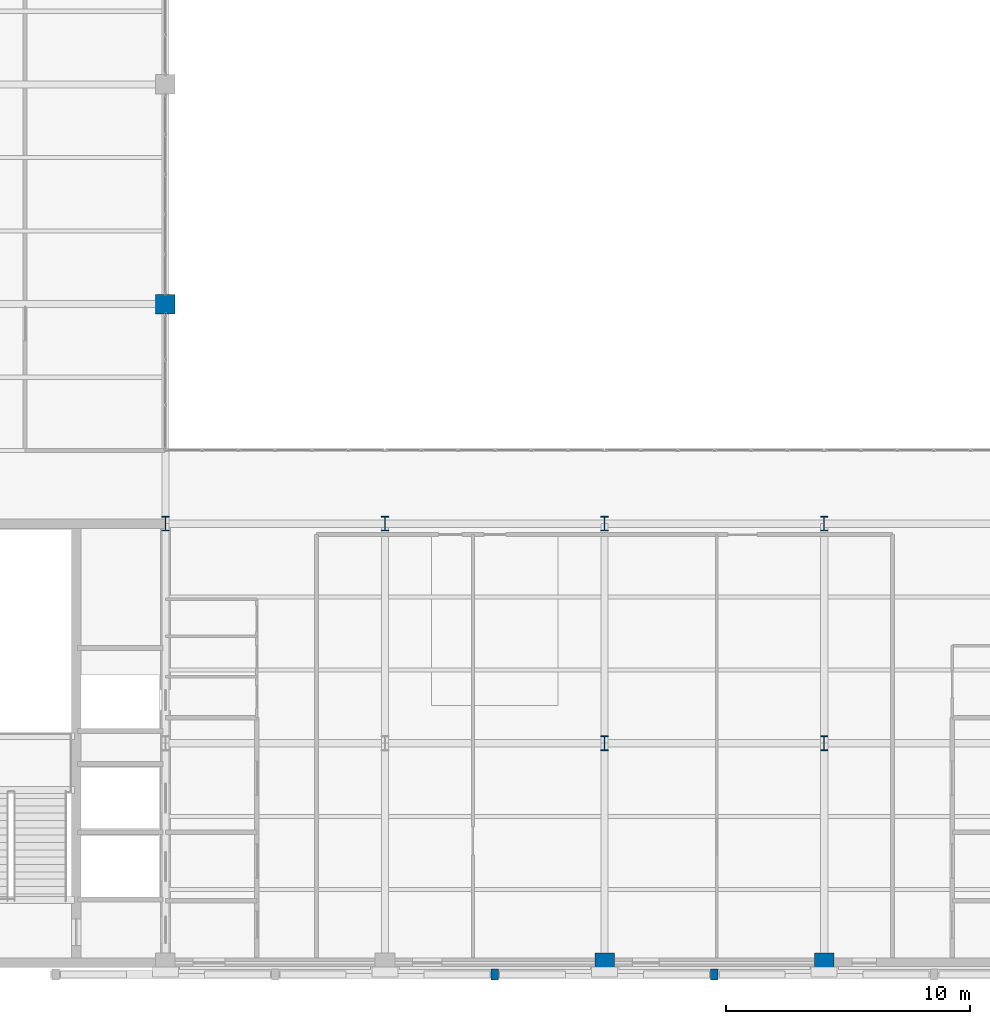
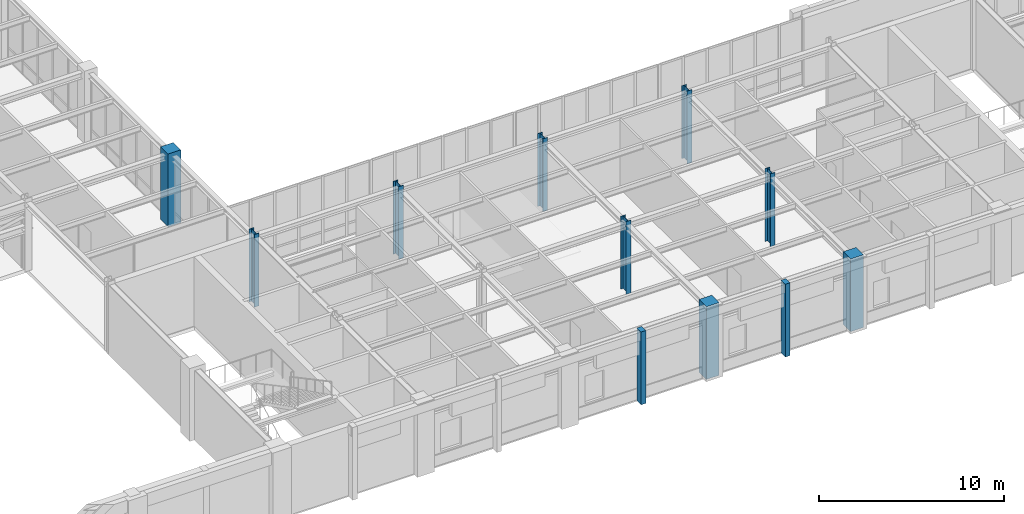
# One storey, part 2 of 92: 11 columns.
"""IFC4 building model written with IfcOpenShell, lengths in metres."""

from ifc_helpers import new_model, si_unit, direction, frame, origin, origin_2d, place, context, subcontext, project, spatial, rectangle, i_section, extrude, material, material_profile, profile_set, type_object, element, save


model = new_model("IFC4")

# Units and contexts
model_context = context("Model", 3, precision=1e-05, world=origin(), true_north=direction((0.0, 1.0)))
body_context = subcontext(model_context, "Body", "Model", "MODEL_VIEW")
ifc_project = project(units=[si_unit("LENGTHUNIT", "METRE"), si_unit("AREAUNIT", "SQUARE_METRE"), si_unit("VOLUMEUNIT", "CUBIC_METRE"), si_unit("PLANEANGLEUNIT", "RADIAN"), si_unit("MASSUNIT", "GRAM", prefix="KILO")], contexts=[model_context])

# Site, building, storey
site_placement = place(None, origin())
site = spatial("IfcSite", under=ifc_project, at=site_placement, CompositionType="ELEMENT")
building_placement = place(site_placement, origin())
building = spatial("IfcBuilding", under=site, at=building_placement, Name="Lykobir Media Centre", CompositionType="ELEMENT")
storey_placement = place(building_placement, frame((0.0, 0.0, 5.39990234375)))
storey = spatial("IfcBuildingStorey", under=building, at=storey_placement, Name="L01", CompositionType="ELEMENT", Elevation=5.39990234375)

# Columns
ifc_material_1 = material(Name="Honed Travertine Stone", Category="masonry")
ifc_material_profile_1 = material_profile(ifc_material_1, rectangle(XDim=0.300048828125, YDim=0.449951171875, at=origin_2d()), Name="RC PILASTER 450x300")
ifc_profile_set_1 = profile_set([ifc_material_profile_1], Name="Honed Travertine Stone")
column_type_1 = type_object("IfcColumnType", Name="PIL-450", PredefinedType="PILASTER", material=ifc_profile_set_1)
for number, where, z_axis, x_axis, name in (
    (1, (49.5, -0.47998046875, 0.0), (0.0, 0.0, 1.0), (1.0, 0.0, 0.0), "South Revak L01 colonnade pier 49.5"),
    (2, (58.5, -0.47998046875, 0.0), (0.0, 0.0, 1.0), (1.0, 0.0, 0.0), "South Revak L01 colonnade pier 58.5"),
):
    element("IfcColumn", number, at=place(storey_placement, frame(where, z_axis=z_axis, x_axis=x_axis)), inside=storey, type_object=column_type_1, Name=name, PredefinedType="PILASTER", context=body_context, shape_type="SweptSolid", body=[
        extrude(rectangle(XDim=0.300048828125, YDim=0.449951171875, at=origin_2d()), origin(), (0.0, 0.0, 1.0), 4.800048828125),
    ])
ifc_material_2 = material(Name="Concrete C40/50", Category="concrete")
ifc_material_profile_2 = material_profile(ifc_material_2, rectangle(XDim=0.800048828125, YDim=0.800048828125, at=origin_2d()), Name="RC 800x800")
ifc_profile_set_2 = profile_set([ifc_material_profile_2], Name="Concrete C40/50")
column_type_2 = type_object("IfcColumnType", Name="RC-C800", PredefinedType="COLUMN", material=ifc_profile_set_2)
column_placement = place(storey_placement, frame((36.0, 27.0, 0.0), z_axis=(0.0, 0.0, 1.0), x_axis=(1.0, 0.0, 0.0)))
element("IfcColumn", 3, at=column_placement, inside=storey, type_object=column_type_2, Name="Column COL-L01-0360-0270", PredefinedType="COLUMN", context=body_context, shape_type="SweptSolid", body=[
    extrude(rectangle(XDim=0.800048828125, YDim=0.800048828125, at=origin_2d()), origin(), (0.0, 0.0, 1.0), 4.800048828125),
])
ifc_material_profile_3 = material_profile(ifc_material_2, rectangle(XDim=0.800048828125, YDim=0.800048828125, at=origin_2d()), Name="RC 800x800")
ifc_profile_set_3 = profile_set([ifc_material_profile_3], Name="Concrete C40/50")
column_type_3 = type_object("IfcColumnType", Name="RC-C800-E", PredefinedType="COLUMN", material=ifc_profile_set_3)
for number, where, z_axis, x_axis, name in (
    (4, (54.0, 0.0, 0.0), (0.0, 0.0, 1.0), (1.0, 0.0, 0.0), "Column COL-L01-0540-0000"),
    (5, (63.0, 0.0, 0.0), (0.0, 0.0, 1.0), (1.0, 0.0, 0.0), "Column COL-L01-0630-0000"),
):
    element("IfcColumn", number, at=place(storey_placement, frame(where, z_axis=z_axis, x_axis=x_axis)), inside=storey, type_object=column_type_3, Name=name, PredefinedType="COLUMN", context=body_context, shape_type="SweptSolid", body=[
        extrude(rectangle(XDim=0.800048828125, YDim=0.800048828125, at=origin_2d()), origin(), (0.0, 0.0, 1.0), 4.800048828125),
    ])
ifc_material_3 = material(Name="Steel S355", Category="steel")
ifc_material_profile_4 = material_profile(ifc_material_3, i_section(OverallWidth=0.300048828125, OverallDepth=0.60009765625, WebThickness=0.015380859375, FlangeThickness=0.030029296875, at=origin_2d()), Name="HEB 600")
ifc_profile_set_4 = profile_set([ifc_material_profile_4], Name="Steel S355")
column_type_4 = type_object("IfcColumnType", Name="SC-HEB600", PredefinedType="COLUMN", material=ifc_profile_set_4)
for number, where, z_axis, x_axis, name in (
    (6, (36.0, 18.0, 0.0), (0.0, 0.0, 1.0), (1.0, 0.0, 0.0), "Column COL-L01-0360-0180"),
    (7, (45.0, 18.0, 0.0), (0.0, 0.0, 1.0), (1.0, 0.0, 0.0), "Column COL-L01-0450-0180"),
    (8, (54.0, 9.0, 0.0), (0.0, 0.0, 1.0), (1.0, 0.0, 0.0), "Column COL-L01-0540-0090"),
    (9, (54.0, 18.0, 0.0), (0.0, 0.0, 1.0), (1.0, 0.0, 0.0), "Column COL-L01-0540-0180"),
    (10, (63.0, 9.0, 0.0), (0.0, 0.0, 1.0), (1.0, 0.0, 0.0), "Column COL-L01-0630-0090"),
    (11, (63.0, 18.0, 0.0), (0.0, 0.0, 1.0), (1.0, 0.0, 0.0), "Column COL-L01-0630-0180"),
):
    element("IfcColumn", number, at=place(storey_placement, frame(where, z_axis=z_axis, x_axis=x_axis)), inside=storey, type_object=column_type_4, Name=name, PredefinedType="COLUMN", context=body_context, shape_type="SweptSolid", body=[
        extrude(i_section(OverallWidth=0.300048828125, OverallDepth=0.60009765625, WebThickness=0.015380859375, FlangeThickness=0.030029296875, at=origin_2d()), origin(), (0.0, 0.0, 1.0), 4.800048828125),
    ])

save(model, "model.ifc")
